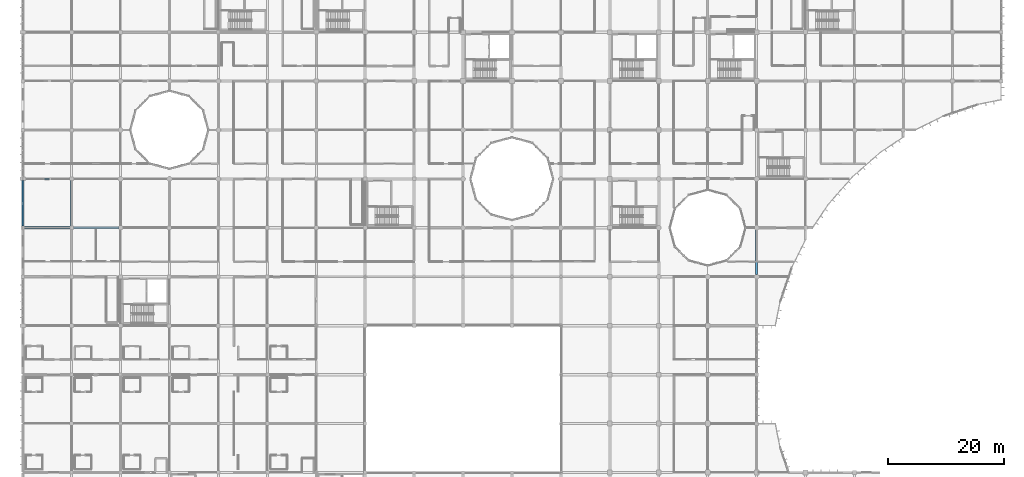
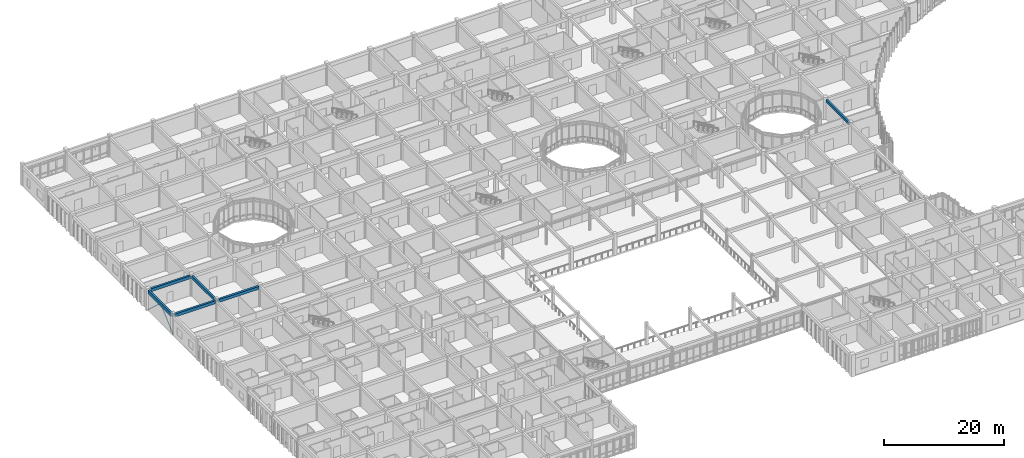
# One storey, part 30 of 144: 6 beams, 2 members.
"""IFC4 building model written with IfcOpenShell, lengths in metres."""

from ifc_helpers import new_model, si_unit, direction, frame, origin, origin_2d, place, context, subcontext, project, spatial, rectangle, hollow_circle, extrude, material, material_profile, profile_set, type_object, element, save


model = new_model("IFC4")

# Units and contexts
model_context = context("Model", 3, precision=1e-05, world=origin(), true_north=direction((0.0, 1.0)))
body_context = subcontext(model_context, "Body", "Model", "MODEL_VIEW")
ifc_project = project(units=[si_unit("LENGTHUNIT", "METRE"), si_unit("AREAUNIT", "SQUARE_METRE"), si_unit("VOLUMEUNIT", "CUBIC_METRE"), si_unit("PLANEANGLEUNIT", "RADIAN"), si_unit("MASSUNIT", "GRAM", prefix="KILO")], contexts=[model_context])

# Site, building, storey
site_placement = place(None, origin())
site = spatial("IfcSite", under=ifc_project, at=site_placement, CompositionType="ELEMENT")
building_placement = place(site_placement, origin())
building = spatial("IfcBuilding", under=site, at=building_placement, Name="Bramfleet General Hospital", CompositionType="ELEMENT")
storey_placement = place(building_placement, frame((0.0, 0.0, 4.800048828125)))
storey = spatial("IfcBuildingStorey", under=building, at=storey_placement, Name="L01", CompositionType="ELEMENT", Elevation=4.800048828125)

# Beams
ifc_material_1 = material(Name="Concrete C35/45", Category="concrete")
ifc_material_profile_1 = material_profile(ifc_material_1, rectangle(XDim=0.35009765625, YDim=0.550048828125, at=origin_2d()), Name="RC BM 550x350")
ifc_profile_set_1 = profile_set([ifc_material_profile_1], Name="Concrete C35/45")
beam_type_1 = type_object("IfcBeamType", Name="BM-RC550", PredefinedType="BEAM", material=ifc_profile_set_1)
beam_1_placement = place(storey_placement, frame((8.39990234375, 67.5, 3.875), z_axis=(0.0, 1.0, 0.0), x_axis=(-1.0, 0.0, 0.0)))
element("IfcBeam", 1, at=beam_1_placement, inside=storey, type_object=beam_type_1, Name="L01 Grid Beam Y 01-08", PredefinedType="BEAM", context=body_context, shape_type="SweptSolid", body=[
    extrude(rectangle(XDim=0.35009765625, YDim=0.550048828125, at=origin_2d()), origin(), (0.0, 0.0, 1.0), 7.800048828125),
])
beam_2_placement = place(storey_placement, frame((126.0, 59.199951171875, 3.875), z_axis=(0.0, 1.0, 0.0), x_axis=(-1.0, 0.0, 0.0)))
element("IfcBeam", 2, at=beam_2_placement, inside=storey, type_object=beam_type_1, Name="L01 Grid Beam Y 15-07", PredefinedType="BEAM", context=body_context, shape_type="SweptSolid", body=[
    extrude(rectangle(XDim=0.35009765625, YDim=0.550048828125, at=origin_2d()), origin(), (0.0, 0.0, 1.0), 7.60009765625),
])
ifc_material_profile_2 = material_profile(ifc_material_1, rectangle(XDim=0.39990234375, YDim=0.60009765625, at=origin_2d()), Name="RC BM 600x400")
ifc_profile_set_2 = profile_set([ifc_material_profile_2], Name="Concrete C35/45")
beam_type_2 = type_object("IfcBeamType", Name="BM-RC600", PredefinedType="BEAM", material=ifc_profile_set_2)
beam_3_placement = place(storey_placement, frame((0.300048828125, 67.199951171875, 3.849853515625), z_axis=(1.0, 0.0, 0.0), x_axis=(0.0, 1.0, 0.0)))
element("IfcBeam", 3, at=beam_3_placement, inside=storey, type_object=beam_type_2, Name="L01 Grid Beam X 00-08", PredefinedType="BEAM", context=body_context, shape_type="SweptSolid", body=[
    extrude(rectangle(XDim=0.39990234375, YDim=0.60009765625, at=origin_2d()), origin(), (0.0, 0.0, 1.0), 7.800048828125),
])
beam_4_placement = place(storey_placement, frame((0.449951171875, 75.60009765625, 3.849853515625), z_axis=(1.0, 0.0, 0.0), x_axis=(0.0, 1.0, 0.0)))
element("IfcBeam", 4, at=beam_4_placement, inside=storey, type_object=beam_type_2, Name="L01 Grid Beam X 00-09", PredefinedType="BEAM", context=body_context, shape_type="SweptSolid", body=[
    extrude(rectangle(XDim=0.39990234375, YDim=0.60009765625, at=origin_2d()), origin(), (0.0, 0.0, 1.0), 7.650146484375),
])
beam_5_placement = place(storey_placement, frame((8.699951171875, 67.199951171875, 3.849853515625), z_axis=(1.0, 0.0, 0.0), x_axis=(0.0, 1.0, 0.0)))
element("IfcBeam", 5, at=beam_5_placement, inside=storey, type_object=beam_type_2, Name="L01 Grid Beam X 01-08", PredefinedType="BEAM", context=body_context, shape_type="SweptSolid", body=[
    extrude(rectangle(XDim=0.39990234375, YDim=0.60009765625, at=origin_2d()), origin(), (0.0, 0.0, 1.0), 7.800048828125),
])
ifc_material_profile_3 = material_profile(ifc_material_1, rectangle(XDim=0.39990234375, YDim=0.699951171875, at=origin_2d()), Name="RC SP 700x400")
ifc_profile_set_3 = profile_set([ifc_material_profile_3], Name="Concrete C35/45")
beam_type_3 = type_object("IfcBeamType", Name="BM-SP700", PredefinedType="SPANDREL", material=ifc_profile_set_3)
beam_6_placement = place(storey_placement, frame((0.0, 67.5, 3.800048828125), z_axis=(0.0, 1.0, 0.0), x_axis=(-1.0, 0.0, 0.0)))
element("IfcBeam", 6, at=beam_6_placement, inside=storey, type_object=beam_type_3, Name="L01 Grid Beam Y 00-08", PredefinedType="SPANDREL", context=body_context, shape_type="SweptSolid", body=[
    extrude(rectangle(XDim=0.39990234375, YDim=0.699951171875, at=origin_2d()), origin(), (0.0, 0.0, 1.0), 7.800048828125),
])

# Members
ifc_material_2 = material(Name="Steel S355", Category="steel")
ifc_material_profile_4 = material_profile(ifc_material_2, hollow_circle(Radius=0.096923828125, WallThickness=0.010009765625, at=origin_2d()), Name="CHS 193.7x10.0")
ifc_profile_set_4 = profile_set([ifc_material_profile_4], Name="Steel S355")
member_type = type_object("IfcMemberType", Name="MEM-BR-CHS193", PredefinedType="BRACE", material=ifc_profile_set_4)
for number, where, z_axis, x_axis, name in (
    (7, (0.0, 67.199951171875, -0.02001953125), (0.0, 0.739770764389, 0.672858986828), (-1.0, 0.0, 0.0), "L01 Chevron Brace 8A"),
    (8, (0.0, 75.60009765625, -0.02001953125), (0.0, -0.739790232346, 0.672837582278), (1.0, 0.0, 0.0), "L01 Chevron Brace 8B"),
):
    element("IfcMember", number, at=place(storey_placement, frame(where, z_axis=z_axis, x_axis=x_axis)), inside=storey, type_object=member_type, Name=name, PredefinedType="BRACE", context=body_context, shape_type="SweptSolid", body=[
        extrude(hollow_circle(Radius=0.096923828125, WallThickness=0.010009765625, at=origin_2d()), origin(), (0.0, 0.0, 1.0), 5.677490234375),
    ])

save(model, "model.ifc")
